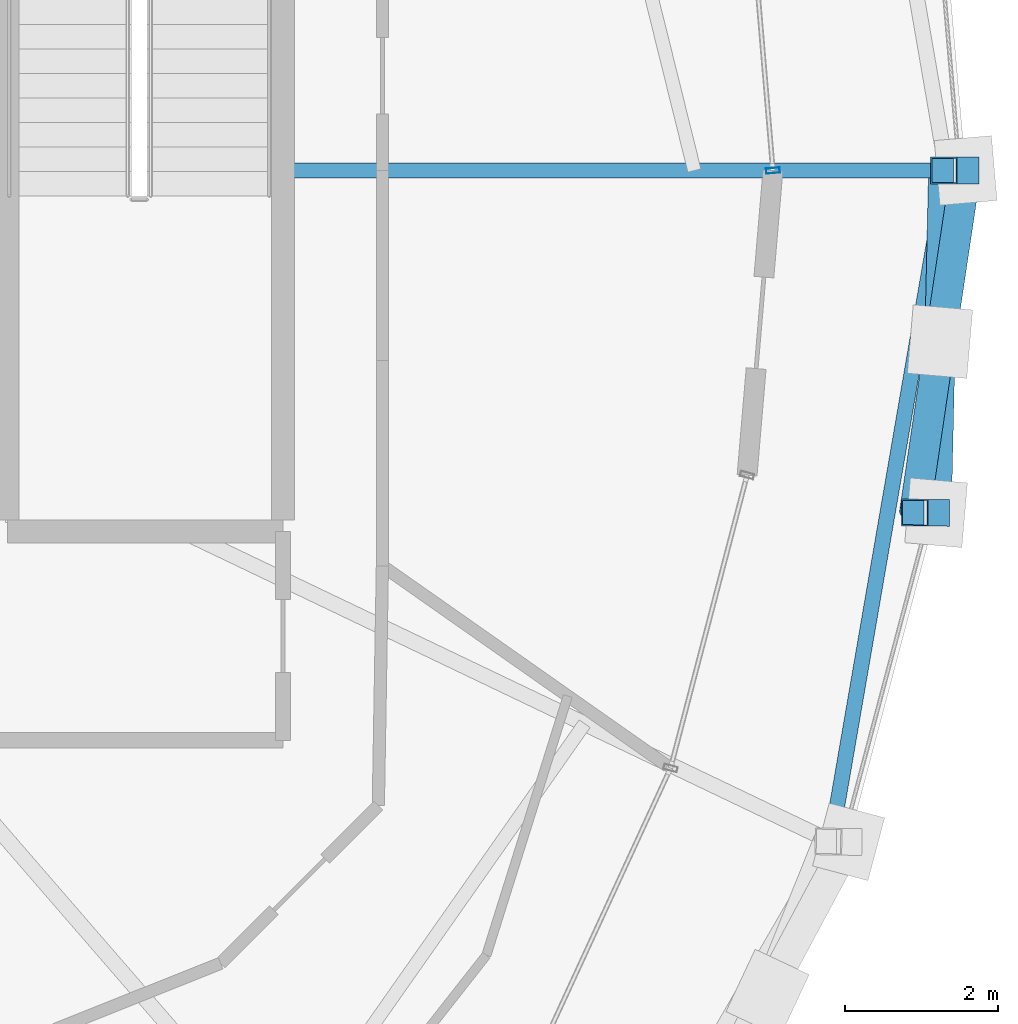
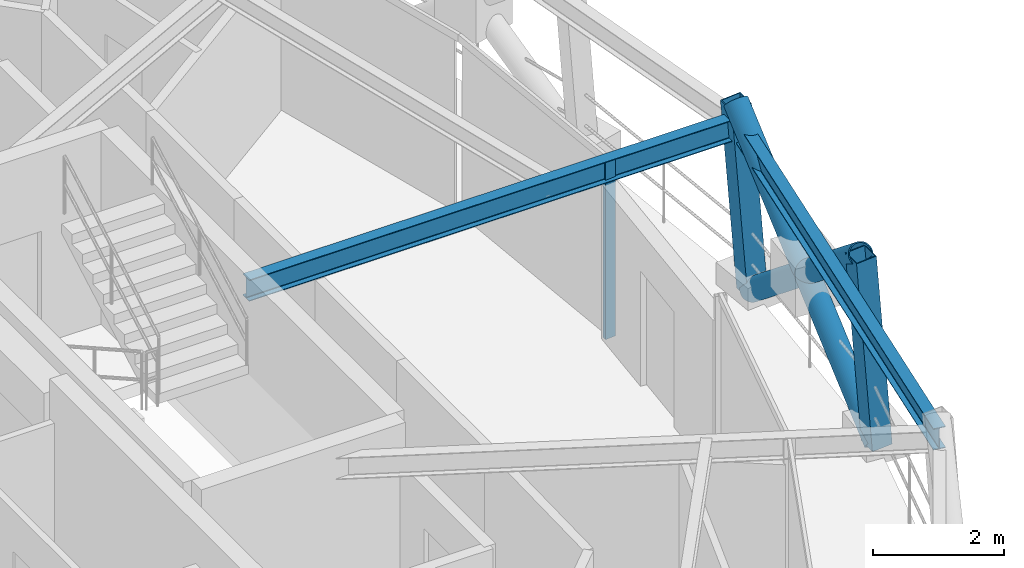
# One storey, part 5 of 17: 6 members, 2 beams, 1 element without a shape of its own.
"""IFC4 building model written with IfcOpenShell, lengths in metres."""

from ifc_helpers import new_model, si_unit, direction, frame, origin, origin_2d, place, context, subcontext, project, spatial, hollow_rectangle, hollow_circle, i_section, extrude, material, layer, layer_set, material_profile, profile_set, type_object, element, aggregate, save


model = new_model("IFC4")

# Units and contexts
model_context = context("Model", 3, precision=1e-05, world=origin(), true_north=direction((0.0, 1.0)))
body_context = subcontext(model_context, "Body", "Model", "MODEL_VIEW")
ifc_project = project(units=[si_unit("LENGTHUNIT", "METRE"), si_unit("AREAUNIT", "SQUARE_METRE"), si_unit("VOLUMEUNIT", "CUBIC_METRE"), si_unit("PLANEANGLEUNIT", "RADIAN"), si_unit("MASSUNIT", "GRAM", prefix="KILO")], contexts=[model_context])

# Site, building, storey
site_placement = place(None, origin())
site = spatial("IfcSite", under=ifc_project, at=site_placement, CompositionType="ELEMENT")
building_placement = place(site_placement, origin())
building = spatial("IfcBuilding", under=site, at=building_placement, Name="Veldorina Hangang Commons", CompositionType="ELEMENT")
storey_placement = place(building_placement, frame((0.0, 0.0, 286.800048828125)))
storey = spatial("IfcBuildingStorey", under=building, at=storey_placement, Name="L75", CompositionType="ELEMENT", Elevation=286.800048828125)

# Beams
ifc_material_1 = material(Name="Steel SM355-TMC", Category="steel")
ifc_material_profile_1 = material_profile(ifc_material_1, i_section(OverallWidth=0.199951171875, OverallDepth=0.39990234375, WebThickness=0.008056640625, FlangeThickness=0.012939453125, FilletRadius=0.012939453125, at=origin_2d()), Name="H-400x200x8x13")
ifc_profile_set_1 = profile_set([ifc_material_profile_1], Name="Steel SM355-TMC")
beam_type_1 = type_object("IfcBeamType", Name="BM-FG400", PredefinedType="BEAM", material=ifc_profile_set_1)
beam_1_placement = place(storey_placement, frame((43.179931640625, 24.0, 3.159912109375), z_axis=(1.0, 0.0, 0.0), x_axis=(0.0, 1.0, 0.0)))
element("IfcBeam", 1, at=beam_1_placement, inside=storey, type_object=beam_type_1, Name="L75 radial floor girder 01", PredefinedType="BEAM", context=body_context, shape_type="SweptSolid", body=[
    extrude(i_section(OverallWidth=0.199951171875, OverallDepth=0.39990234375, WebThickness=0.008056640625, FlangeThickness=0.012939453125, FilletRadius=0.012939453125, at=origin_2d()), origin(), (0.0, 0.0, 1.0), 8.67626953125),
])
ifc_material_profile_2 = material_profile(ifc_material_1, i_section(OverallWidth=0.199951171875, OverallDepth=0.39990234375, WebThickness=0.008056640625, FlangeThickness=0.012939453125, FilletRadius=0.012939453125, at=origin_2d()), Name="H-400x200x8x13")
ifc_profile_set_2 = profile_set([ifc_material_profile_2], Name="Steel SM355-TMC")
beam_type_2 = type_object("IfcBeamType", Name="BM-RB400", PredefinedType="BEAM", material=ifc_profile_set_2)
beam_2_placement = place(storey_placement, frame((50.344482421875, 15.226806640625, 3.159912109375), z_axis=(0.169808652045, 0.985477052848, 0.0), x_axis=(-0.985477052848, 0.169808652045, 0.0)))
element("IfcBeam", 2, at=beam_2_placement, inside=storey, type_object=beam_type_2, Name="L75 perimeter hoop ring beam 30", PredefinedType="BEAM", context=body_context, shape_type="SweptSolid", body=[
    extrude(i_section(OverallWidth=0.199951171875, OverallDepth=0.39990234375, WebThickness=0.008056640625, FlangeThickness=0.012939453125, FilletRadius=0.012939453125, at=origin_2d()), origin(), (0.0, 0.0, 1.0), 8.902587890625),
])

# Curtain wall, member
ifc_material_2 = material(Name="Glass Low-E Selective", Category="glass")
ifc_layer = layer(ifc_material_2, 0.179931640625)
ifc_layer_set = layer_set([ifc_layer], Name="Glass Low-E Selective")
curtain_wall_type = type_object("IfcCurtainWallType", Name="CW-SYS-Z3", PredefinedType="NOTDEFINED", material=ifc_layer_set)
curtain_wall_placement = place(storey_placement, origin())
curtain_wall = element("IfcCurtainWall", 3, at=curtain_wall_placement, inside=storey, type_object=curtain_wall_type, Name="L75 unitised curtain wall CW-L75-R1", PredefinedType="NOTDEFINED")
ifc_material_3 = material(Name="Aluminium Anodized AA6063-T6", Category="aluminium")
ifc_material_profile_3 = material_profile(ifc_material_3, hollow_rectangle(XDim=0.070068359375, YDim=0.179931640625, WallThickness=0.00390625, at=origin_2d()), Name="ALU-RHS-180x70x4")
ifc_profile_set_3 = profile_set([ifc_material_profile_3], Name="Aluminium Anodized AA6063-T6")
member_type_1 = type_object("IfcMemberType", Name="CW-MUL-180", PredefinedType="MULLION", material=ifc_profile_set_3)
member_1_placement = place(storey_placement, frame((49.5859375, 24.0, 0.0), z_axis=(0.0, 0.0, 1.0), x_axis=(-0.084530024615, 0.996420932608, 0.0)))
member_1 = element("IfcMember", 4, at=member_1_placement, type_object=member_type_1, Name="CW-L75-R1 vertical mullion 1", PredefinedType="MULLION", context=body_context, shape_type="SweptSolid", body=[
    extrude(hollow_rectangle(XDim=0.070068359375, YDim=0.179931640625, WallThickness=0.00390625, at=origin_2d()), origin(), (0.0, 0.0, 1.0), 3.320068359375),
])
aggregate(curtain_wall, [member_1])

# Members
ifc_material_profile_4 = material_profile(ifc_material_1, hollow_circle(Radius=0.199951171875, WallThickness=0.02001953125, at=origin_2d()), Name="CHS-400x20")
ifc_profile_set_4 = profile_set([ifc_material_profile_4], Name="Steel SM355-TMC")
member_type_2 = type_object("IfcMemberType", Name="DG-CHS400", PredefinedType="BRACE", material=ifc_profile_set_4)
member_2_placement = place(storey_placement, frame((51.719482421875, 19.525390625, 0.0), z_axis=(0.017724560604, 0.779030567758, 0.626735362374), x_axis=(-0.999741272024, 0.022746186733, 0.0)))
element("IfcMember", 5, at=member_2_placement, inside=storey, type_object=member_type_2, Name="L75 continuous perimeter diagrid brace 31", PredefinedType="BRACE", context=body_context, shape_type="SweptSolid", body=[
    extrude(hollow_circle(Radius=0.199951171875, WallThickness=0.02001953125, at=origin_2d()), origin(), (0.0, 0.0, 1.0), 5.743896484375),
])
member_3_placement = place(storey_placement, frame((52.10595703125, 24.0, 0.0), z_axis=(-0.116040335199, -0.77368668905, 0.62285114417), x_axis=(0.98893872819, -0.148324616585, 0.0)))
element("IfcMember", 6, at=member_3_placement, inside=storey, type_object=member_type_2, Name="L75 split perimeter diagrid lower brace 00", PredefinedType="BRACE", context=body_context, shape_type="SweptSolid", body=[
    extrude(hollow_circle(Radius=0.199951171875, WallThickness=0.02001953125, at=origin_2d()), origin(), (0.0, 0.0, 1.0), 2.890869140625),
])
member_4_placement = place(storey_placement, frame((51.7705078125, 21.763427734375, 1.800537109375), z_axis=(-0.114259237088, -0.773954210982, 0.622848060159), x_axis=(0.989277574273, -0.146047530074, 0.0)))
element("IfcMember", 7, at=member_4_placement, inside=storey, type_object=member_type_2, Name="L75 split perimeter diagrid upper brace 00", PredefinedType="BRACE", context=body_context, shape_type="SweptSolid", body=[
    extrude(hollow_circle(Radius=0.199951171875, WallThickness=0.02001953125, at=origin_2d()), origin(), (0.0, 0.0, 1.0), 2.888916015625),
])
ifc_material_profile_5 = material_profile(ifc_material_1, hollow_rectangle(XDim=0.35009765625, YDim=0.35009765625, WallThickness=0.01611328125, at=origin_2d()), Name="SHS-350x350x16")
ifc_profile_set_5 = profile_set([ifc_material_profile_5], Name="Steel SM355-TMC")
member_type_3 = type_object("IfcMemberType", Name="STR-SHS350", PredefinedType="STRUT", material=ifc_profile_set_5)
member_5_placement = place(storey_placement, frame((52.10595703125, 24.0, 0.0), z_axis=(-0.078831559843, 0.0, 0.996887950159), x_axis=(0.0, -1.0, 0.0)))
element("IfcMember", 8, at=member_5_placement, inside=storey, type_object=member_type_3, Name="L75 perimeter ring node post 00", PredefinedType="STRUT", context=body_context, shape_type="SweptSolid", body=[
    extrude(hollow_rectangle(XDim=0.35009765625, YDim=0.35009765625, WallThickness=0.01611328125, at=origin_2d()), origin(), (0.0, 0.0, 1.0), 3.611083984375),
])
member_6_placement = place(storey_placement, frame((51.719482421875, 19.525390625, 0.0), z_axis=(-0.077285930126, 0.000608550631, 0.997008783648), x_axis=(-0.007873771664, -0.999969001379, 0.0)))
element("IfcMember", 9, at=member_6_placement, inside=storey, type_object=member_type_3, Name="L75 perimeter ring node post 31", PredefinedType="STRUT", context=body_context, shape_type="SweptSolid", body=[
    extrude(hollow_rectangle(XDim=0.35009765625, YDim=0.35009765625, WallThickness=0.01611328125, at=origin_2d()), origin(), (0.0, 0.0, 1.0), 3.610595703125),
])

save(model, "model.ifc")
